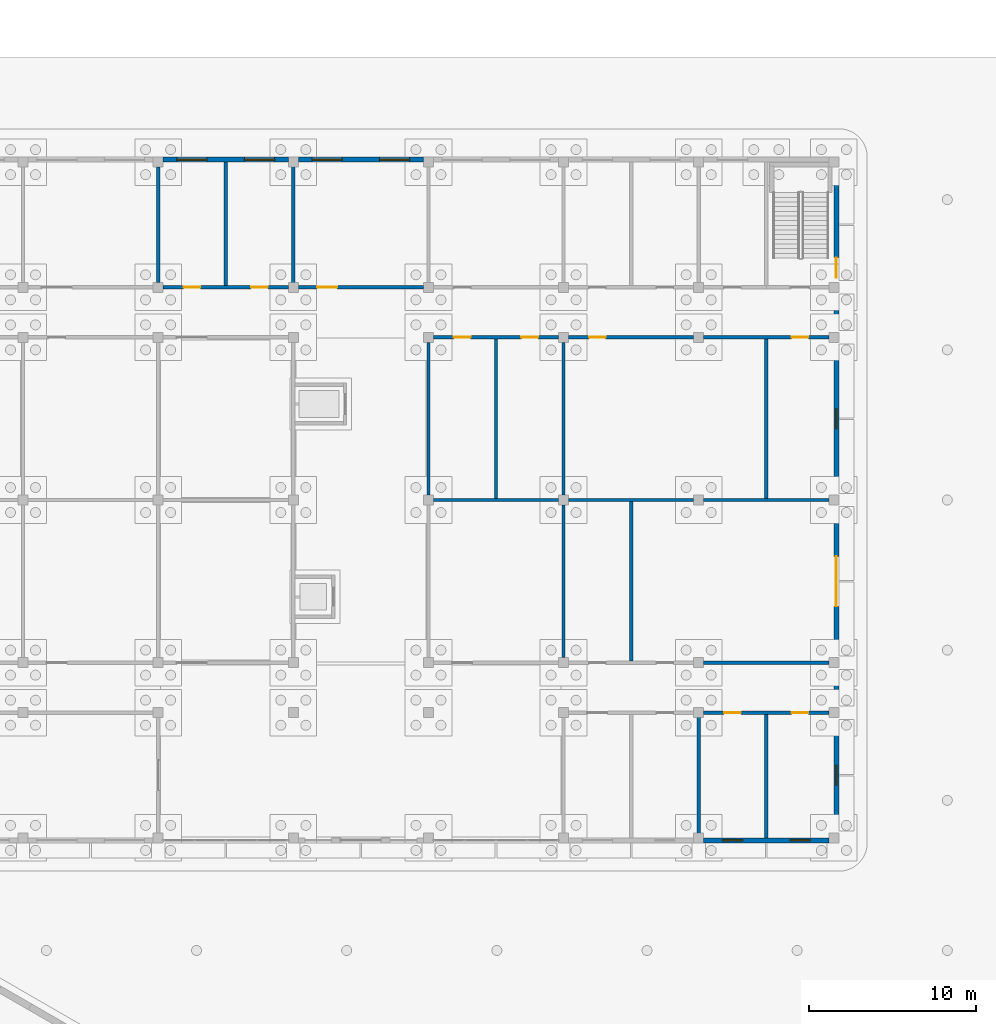
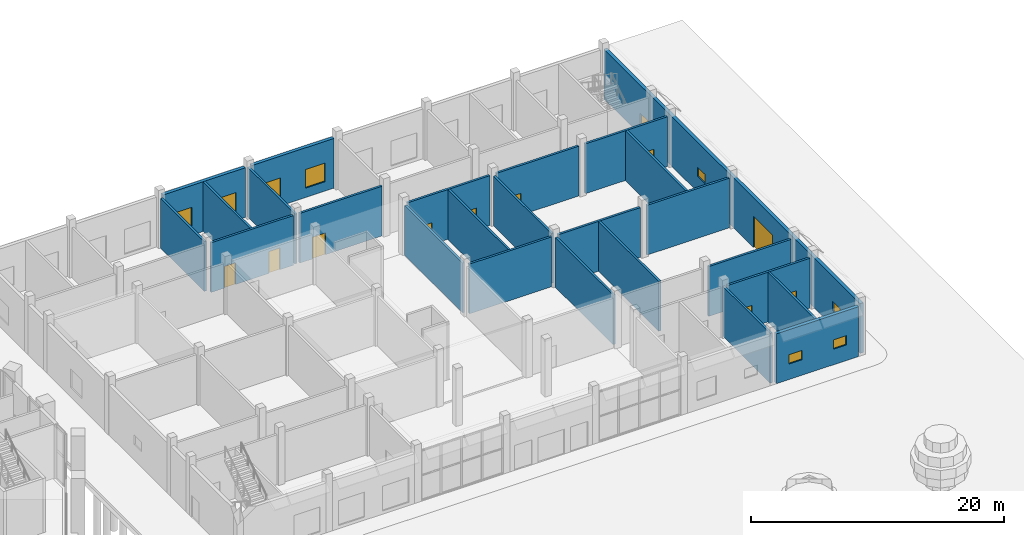
# One storey, part 27 of 44: 25 walls, 11 doors, 8 windows, 19 openings.
"""IFC4 building model written with IfcOpenShell, lengths in metres."""

from ifc_helpers import new_model, si_unit, direction, frame, frame_2d, origin, place, context, subcontext, project, spatial, rectangle, extrude, material, layer, layer_set, type_object, element, fill, save


model = new_model("IFC4")

# Units and contexts
model_context = context("Model", 3, precision=1e-05, world=origin(), true_north=direction((0.0, 1.0)))
body_context = subcontext(model_context, "Body", "Model", "MODEL_VIEW")
ifc_project = project(units=[si_unit("LENGTHUNIT", "METRE"), si_unit("AREAUNIT", "SQUARE_METRE"), si_unit("VOLUMEUNIT", "CUBIC_METRE"), si_unit("PLANEANGLEUNIT", "RADIAN"), si_unit("MASSUNIT", "GRAM", prefix="KILO")], contexts=[model_context])

# Site, building, storey
site_placement = place(None, origin())
site = spatial("IfcSite", under=ifc_project, at=site_placement, CompositionType="ELEMENT")
building_placement = place(site_placement, origin())
building = spatial("IfcBuilding", under=site, at=building_placement, Name="Frailejon Research Tower", CompositionType="ELEMENT")
storey_placement = place(building_placement, origin())
storey = spatial("IfcBuildingStorey", under=building, at=storey_placement, Name="L00", CompositionType="ELEMENT", Elevation=0.0)

# Wall, openings, windows
ifc_material_1 = material(Name="Insulated masonry cavity wall", Category="masonry")
ifc_layer_1 = layer(ifc_material_1, 0.300048828125)
ifc_layer_set_1 = layer_set([ifc_layer_1], Name="HC facade wall 300")
wall_type_1 = type_object("IfcWallType", Name="HC facade wall 300", PredefinedType="SOLIDWALL", material=ifc_layer_set_1)
wall_1_placement = place(storey_placement, frame((93.39990234375, -20.39990234375, 0.0), z_axis=(0.0, 0.0, 1.0), x_axis=(1.0, 0.0, 0.0)))
wall_1 = element("IfcWall", 1, at=wall_1_placement, inside=storey, type_object=wall_type_1, Name="HC facade wall", PredefinedType="SOLIDWALL", context=body_context, shape_type="SweptSolid", body=[
    extrude(rectangle(XDim=7.5, YDim=0.300048828125, at=frame_2d((3.75, 0.0))), origin(), (0.0, 0.0, 1.0), 4.800048828125),
])
opening_1_placement = place(wall_1_placement, frame((1.125, 0.0, 1.5)))
opening_1 = element("IfcOpeningElement", 2, at=opening_1_placement, cuts=wall_1, Name="Opening HW008", PredefinedType="OPENING", context=body_context, shape_type="SweptSolid", body=[
    extrude(rectangle(XDim=1.199951171875, YDim=0.89990234375, at=frame_2d((0.60009765625, 0.449951171875))), frame((0.0, 0.159912109375, 0.0), z_axis=(0.0, -1.0, 0.0), x_axis=(1.0, 0.0, 0.0)), (0.0, 0.0, 1.0), 0.320068359375),
])
opening_2_placement = place(wall_1_placement, frame((5.175048828125, 0.0, 1.5)))
opening_2 = element("IfcOpeningElement", 3, at=opening_2_placement, cuts=wall_1, Name="Opening HW009", PredefinedType="OPENING", context=body_context, shape_type="SweptSolid", body=[
    extrude(rectangle(XDim=1.199951171875, YDim=0.89990234375, at=frame_2d((0.60009765625, 0.449951171875))), frame((0.0, 0.159912109375, 0.0), z_axis=(0.0, -1.0, 0.0), x_axis=(1.0, 0.0, 0.0)), (0.0, 0.0, 1.0), 0.320068359375),
])
ifc_material_2 = material(Name="Aluminium framed double glazing", Category="aluminium")
window_type_1 = type_object("IfcWindowType", Name="HC window 1200x900", PartitioningType="SINGLE_PANEL", PredefinedType="WINDOW", material=ifc_material_2)
window_1_placement = place(opening_1_placement, origin())
window_1 = element("IfcWindow", 4, at=window_1_placement, inside=storey, type_object=window_type_1, Name="Window HW008 (HCW2)", OverallHeight=0.89990234375, OverallWidth=1.199951171875, PartitioningType="SINGLE_PANEL", PredefinedType="WINDOW", context=body_context, shape_type="SweptSolid", body=[
    extrude(rectangle(XDim=1.199951171875, YDim=0.89990234375, at=frame_2d((0.60009765625, 0.449951171875))), frame((0.0, 0.030029296875, 0.0), z_axis=(0.0, -1.0, 0.0), x_axis=(1.0, 0.0, 0.0)), (0.0, 0.0, 1.0), 0.06005859375),
])
fill(opening_1, window_1)
window_2_placement = place(opening_2_placement, origin())
window_2 = element("IfcWindow", 5, at=window_2_placement, inside=storey, type_object=window_type_1, Name="Window HW009 (HCW2)", OverallHeight=0.89990234375, OverallWidth=1.199951171875, PartitioningType="SINGLE_PANEL", PredefinedType="WINDOW", context=body_context, shape_type="SweptSolid", body=[
    extrude(rectangle(XDim=1.199951171875, YDim=0.89990234375, at=frame_2d((0.60009765625, 0.449951171875))), frame((0.0, 0.030029296875, 0.0), z_axis=(0.0, -1.0, 0.0), x_axis=(1.0, 0.0, 0.0)), (0.0, 0.0, 1.0), 0.06005859375),
])
fill(opening_2, window_2)

# Wall, openings, doors, windows
wall_2_placement = place(storey_placement, frame((101.35009765625, 20.25, 0.0), z_axis=(0.0, 0.0, 1.0), x_axis=(0.0, -1.0, 0.0)))
wall_2 = element("IfcWall", 6, at=wall_2_placement, inside=storey, type_object=wall_type_1, Name="HC facade wall", PredefinedType="SOLIDWALL", context=body_context, shape_type="SweptSolid", body=[
    extrude(rectangle(XDim=40.5, YDim=0.300048828125, at=frame_2d((20.25, 0.0))), origin(), (0.0, 0.0, 1.0), 4.800048828125),
])
opening_3_placement = place(wall_2_placement, frame((5.72998046875, 0.0, 0.0)))
opening_3 = element("IfcOpeningElement", 7, at=opening_3_placement, cuts=wall_2, Name="Opening HD034", PredefinedType="OPENING", context=body_context, shape_type="SweptSolid", body=[
    extrude(rectangle(XDim=1.199951171875, YDim=2.10009765625, at=frame_2d((0.60009765625, 1.050048828125))), frame((0.0, 0.159912109375, 0.0), z_axis=(0.0, -1.0, 0.0), x_axis=(1.0, 0.0, 0.0)), (0.0, 0.0, 1.0), 0.320068359375),
])
opening_4_placement = place(wall_2_placement, frame((23.625, 0.0, 0.0)))
opening_4 = element("IfcOpeningElement", 8, at=opening_4_placement, cuts=wall_2, Name="Opening HD035", PredefinedType="OPENING", context=body_context, shape_type="SweptSolid", body=[
    extrude(rectangle(XDim=3.0, YDim=3.0, at=frame_2d((1.5, 1.5))), frame((0.0, 0.159912109375, 0.0), z_axis=(0.0, -1.0, 0.0), x_axis=(1.0, 0.0, 0.0)), (0.0, 0.0, 1.0), 0.320068359375),
])
opening_5_placement = place(wall_2_placement, frame((36.14990234375, 0.0, 1.5)))
opening_5 = element("IfcOpeningElement", 9, at=opening_5_placement, cuts=wall_2, Name="Opening HW010", PredefinedType="OPENING", context=body_context, shape_type="SweptSolid", body=[
    extrude(rectangle(XDim=1.199951171875, YDim=0.89990234375, at=frame_2d((0.60009765625, 0.449951171875))), frame((0.0, 0.159912109375, 0.0), z_axis=(0.0, -1.0, 0.0), x_axis=(1.0, 0.0, 0.0)), (0.0, 0.0, 1.0), 0.320068359375),
])
opening_6_placement = place(wall_2_placement, frame((14.77490234375, 0.0, 1.5)))
opening_6 = element("IfcOpeningElement", 10, at=opening_6_placement, cuts=wall_2, Name="Opening HW013", PredefinedType="OPENING", context=body_context, shape_type="SweptSolid", body=[
    extrude(rectangle(XDim=1.199951171875, YDim=0.89990234375, at=frame_2d((0.60009765625, 0.449951171875))), frame((0.0, 0.159912109375, 0.0), z_axis=(0.0, -1.0, 0.0), x_axis=(1.0, 0.0, 0.0)), (0.0, 0.0, 1.0), 0.320068359375),
])
ifc_material_3 = material(Name="Aluminium framed glazed door leaf", Category="aluminium")
door_type_1 = type_object("IfcDoorType", Name="HC exit door 1200", OperationType="SINGLE_SWING_RIGHT", PredefinedType="DOOR", material=ifc_material_3)
door_1_placement = place(opening_3_placement, origin())
door_1 = element("IfcDoor", 11, at=door_1_placement, inside=storey, type_object=door_type_1, Name="Door HD034", OperationType="SINGLE_SWING_RIGHT", OverallHeight=2.10009765625, OverallWidth=1.199951171875, PredefinedType="DOOR", context=body_context, shape_type="SweptSolid", body=[
    extrude(rectangle(XDim=1.199951171875, YDim=2.10009765625, at=frame_2d((0.60009765625, 1.050048828125))), frame((0.0, 0.02490234375, 0.0), z_axis=(0.0, -1.0, 0.0), x_axis=(1.0, 0.0, 0.0)), (0.0, 0.0, 1.0), 0.050048828125),
])
fill(opening_3, door_1)
ifc_material_4 = material(Name="Galvanised steel roller shutter", Category="steel")
door_type_2 = type_object("IfcDoorType", Name="HC roller shutter 3000", OperationType="ROLLINGUP", PredefinedType="DOOR", material=ifc_material_4)
door_2_placement = place(opening_4_placement, origin())
door_2 = element("IfcDoor", 12, at=door_2_placement, inside=storey, type_object=door_type_2, Name="Door HD035", OperationType="ROLLINGUP", OverallHeight=3.0, OverallWidth=3.0, PredefinedType="DOOR", context=body_context, shape_type="SweptSolid", body=[
    extrude(rectangle(XDim=3.0, YDim=3.0, at=frame_2d((1.5, 1.5))), frame((0.0, 0.02490234375, 0.0), z_axis=(0.0, -1.0, 0.0), x_axis=(1.0, 0.0, 0.0)), (0.0, 0.0, 1.0), 0.050048828125),
])
fill(opening_4, door_2)
window_3_placement = place(opening_5_placement, origin())
window_3 = element("IfcWindow", 13, at=window_3_placement, inside=storey, type_object=window_type_1, Name="Window HW010 (HCW2)", OverallHeight=0.89990234375, OverallWidth=1.199951171875, PartitioningType="SINGLE_PANEL", PredefinedType="WINDOW", context=body_context, shape_type="SweptSolid", body=[
    extrude(rectangle(XDim=1.199951171875, YDim=0.89990234375, at=frame_2d((0.60009765625, 0.449951171875))), frame((0.0, 0.030029296875, 0.0), z_axis=(0.0, -1.0, 0.0), x_axis=(1.0, 0.0, 0.0)), (0.0, 0.0, 1.0), 0.06005859375),
])
fill(opening_5, window_3)
window_4_placement = place(opening_6_placement, origin())
window_4 = element("IfcWindow", 14, at=window_4_placement, inside=storey, type_object=window_type_1, Name="Window HW013 (HCW2)", OverallHeight=0.89990234375, OverallWidth=1.199951171875, PartitioningType="SINGLE_PANEL", PredefinedType="WINDOW", context=body_context, shape_type="SweptSolid", body=[
    extrude(rectangle(XDim=1.199951171875, YDim=0.89990234375, at=frame_2d((0.60009765625, 0.449951171875))), frame((0.0, 0.030029296875, 0.0), z_axis=(0.0, -1.0, 0.0), x_axis=(1.0, 0.0, 0.0)), (0.0, 0.0, 1.0), 0.06005859375),
])
fill(opening_6, window_4)

# Wall, openings, windows
wall_3_placement = place(storey_placement, frame((61.0, 20.39990234375, 0.0), z_axis=(0.0, 0.0, 1.0), x_axis=(1.0, 0.0, 0.0)))
wall_3 = element("IfcWall", 15, at=wall_3_placement, inside=storey, type_object=wall_type_1, Name="HC facade wall", PredefinedType="SOLIDWALL", context=body_context, shape_type="SweptSolid", body=[
    extrude(rectangle(XDim=7.5, YDim=0.300048828125, at=frame_2d((3.75, 0.0))), origin(), (0.0, 0.0, 1.0), 4.800048828125),
])
opening_7_placement = place(wall_3_placement, frame((0.824951171875, 0.0, 0.89990234375)))
opening_7 = element("IfcOpeningElement", 16, at=opening_7_placement, cuts=wall_3, Name="Opening HW019", PredefinedType="OPENING", context=body_context, shape_type="SweptSolid", body=[
    extrude(rectangle(XDim=1.800048828125, YDim=1.800048828125, at=frame_2d((0.89990234375, 0.89990234375))), frame((0.0, 0.159912109375, 0.0), z_axis=(0.0, -1.0, 0.0), x_axis=(1.0, 0.0, 0.0)), (0.0, 0.0, 1.0), 0.320068359375),
])
opening_8_placement = place(wall_3_placement, frame((4.875, 0.0, 0.89990234375)))
opening_8 = element("IfcOpeningElement", 17, at=opening_8_placement, cuts=wall_3, Name="Opening HW020", PredefinedType="OPENING", context=body_context, shape_type="SweptSolid", body=[
    extrude(rectangle(XDim=1.800048828125, YDim=1.800048828125, at=frame_2d((0.89990234375, 0.89990234375))), frame((0.0, 0.159912109375, 0.0), z_axis=(0.0, -1.0, 0.0), x_axis=(1.0, 0.0, 0.0)), (0.0, 0.0, 1.0), 0.320068359375),
])
ifc_material_5 = material(Name="Aluminium framed double glazing", Category="aluminium")
window_type_2 = type_object("IfcWindowType", Name="HC window 1800x1800", PartitioningType="SINGLE_PANEL", PredefinedType="WINDOW", material=ifc_material_5)
window_5_placement = place(opening_7_placement, origin())
window_5 = element("IfcWindow", 18, at=window_5_placement, inside=storey, type_object=window_type_2, Name="Window HW019 (HCW1)", OverallHeight=1.800048828125, OverallWidth=1.800048828125, PartitioningType="SINGLE_PANEL", PredefinedType="WINDOW", context=body_context, shape_type="SweptSolid", body=[
    extrude(rectangle(XDim=1.800048828125, YDim=1.800048828125, at=frame_2d((0.89990234375, 0.89990234375))), frame((0.0, 0.030029296875, 0.0), z_axis=(0.0, -1.0, 0.0), x_axis=(1.0, 0.0, 0.0)), (0.0, 0.0, 1.0), 0.06005859375),
])
fill(opening_7, window_5)
window_6_placement = place(opening_8_placement, origin())
window_6 = element("IfcWindow", 19, at=window_6_placement, inside=storey, type_object=window_type_2, Name="Window HW020 (HCW1)", OverallHeight=1.800048828125, OverallWidth=1.800048828125, PartitioningType="SINGLE_PANEL", PredefinedType="WINDOW", context=body_context, shape_type="SweptSolid", body=[
    extrude(rectangle(XDim=1.800048828125, YDim=1.800048828125, at=frame_2d((0.89990234375, 0.89990234375))), frame((0.0, 0.030029296875, 0.0), z_axis=(0.0, -1.0, 0.0), x_axis=(1.0, 0.0, 0.0)), (0.0, 0.0, 1.0), 0.06005859375),
])
fill(opening_8, window_6)

wall_4_placement = place(storey_placement, frame((69.10009765625, 20.39990234375, 0.0), z_axis=(0.0, 0.0, 1.0), x_axis=(1.0, 0.0, 0.0)))
wall_4 = element("IfcWall", 20, at=wall_4_placement, inside=storey, type_object=wall_type_1, Name="HC facade wall", PredefinedType="SOLIDWALL", context=body_context, shape_type="SweptSolid", body=[
    extrude(rectangle(XDim=7.5, YDim=0.300048828125, at=frame_2d((3.75, 0.0))), origin(), (0.0, 0.0, 1.0), 4.800048828125),
])
opening_9_placement = place(wall_4_placement, frame((0.824951171875, 0.0, 0.89990234375)))
opening_9 = element("IfcOpeningElement", 21, at=opening_9_placement, cuts=wall_4, Name="Opening HW021", PredefinedType="OPENING", context=body_context, shape_type="SweptSolid", body=[
    extrude(rectangle(XDim=1.800048828125, YDim=1.800048828125, at=frame_2d((0.89990234375, 0.89990234375))), frame((0.0, 0.159912109375, 0.0), z_axis=(0.0, -1.0, 0.0), x_axis=(1.0, 0.0, 0.0)), (0.0, 0.0, 1.0), 0.320068359375),
])
opening_10_placement = place(wall_4_placement, frame((4.875, 0.0, 0.89990234375)))
opening_10 = element("IfcOpeningElement", 22, at=opening_10_placement, cuts=wall_4, Name="Opening HW022", PredefinedType="OPENING", context=body_context, shape_type="SweptSolid", body=[
    extrude(rectangle(XDim=1.800048828125, YDim=1.800048828125, at=frame_2d((0.89990234375, 0.89990234375))), frame((0.0, 0.159912109375, 0.0), z_axis=(0.0, -1.0, 0.0), x_axis=(1.0, 0.0, 0.0)), (0.0, 0.0, 1.0), 0.320068359375),
])
window_7_placement = place(opening_9_placement, origin())
window_7 = element("IfcWindow", 23, at=window_7_placement, inside=storey, type_object=window_type_2, Name="Window HW021 (HCW1)", OverallHeight=1.800048828125, OverallWidth=1.800048828125, PartitioningType="SINGLE_PANEL", PredefinedType="WINDOW", context=body_context, shape_type="SweptSolid", body=[
    extrude(rectangle(XDim=1.800048828125, YDim=1.800048828125, at=frame_2d((0.89990234375, 0.89990234375))), frame((0.0, 0.030029296875, 0.0), z_axis=(0.0, -1.0, 0.0), x_axis=(1.0, 0.0, 0.0)), (0.0, 0.0, 1.0), 0.06005859375),
])
fill(opening_9, window_7)
window_8_placement = place(opening_10_placement, origin())
window_8 = element("IfcWindow", 24, at=window_8_placement, inside=storey, type_object=window_type_2, Name="Window HW022 (HCW1)", OverallHeight=1.800048828125, OverallWidth=1.800048828125, PartitioningType="SINGLE_PANEL", PredefinedType="WINDOW", context=body_context, shape_type="SweptSolid", body=[
    extrude(rectangle(XDim=1.800048828125, YDim=1.800048828125, at=frame_2d((0.89990234375, 0.89990234375))), frame((0.0, 0.030029296875, 0.0), z_axis=(0.0, -1.0, 0.0), x_axis=(1.0, 0.0, 0.0)), (0.0, 0.0, 1.0), 0.06005859375),
])
fill(opening_10, window_8)

# Walls
ifc_material_6 = material(Name="Concrete C35/45", Category="concrete")
ifc_layer_2 = layer(ifc_material_6, 0.199951171875)
ifc_layer_set_2 = layer_set([ifc_layer_2], Name="HC fire wall 200")
wall_type_2 = type_object("IfcWallType", Name="HC fire wall 200", PredefinedType="SOLIDWALL", material=ifc_layer_set_2)
wall_5_placement = place(storey_placement, frame((85.0, 0.300048828125, 0.0), z_axis=(0.0, 0.0, 1.0), x_axis=(0.0, 1.0, 0.0)))
element("IfcWall", 25, at=wall_5_placement, inside=storey, type_object=wall_type_2, Name="HC fire-resisting wall", PredefinedType="SOLIDWALL", context=body_context, shape_type="SweptSolid", body=[
    extrude(rectangle(XDim=9.14990234375, YDim=0.199951171875, at=frame_2d((4.574951171875, 0.0))), origin(), (0.0, 0.0, 1.0), 4.800048828125),
])
wall_6_placement = place(storey_placement, frame((97.14990234375, 0.10009765625, 0.0), z_axis=(0.0, 0.0, 1.0), x_axis=(0.0, 1.0, 0.0)))
element("IfcWall", 26, at=wall_6_placement, inside=storey, type_object=wall_type_2, Name="HC fire-resisting wall", PredefinedType="SOLIDWALL", context=body_context, shape_type="SweptSolid", body=[
    extrude(rectangle(XDim=9.5498046875, YDim=0.199951171875, at=frame_2d((4.77490234375, 0.0))), origin(), (0.0, 0.0, 1.0), 4.800048828125),
])
for number, where, z_axis, x_axis, name in (
    (27, (85.300048828125, 0.0, 0.0), (0.0, 0.0, 1.0), (1.0, 0.0, 0.0), "HC fire-resisting wall"),
    (28, (93.39990234375, 0.0, 0.0), (0.0, 0.0, 1.0), (1.0, 0.0, 0.0), "HC fire-resisting wall"),
):
    element("IfcWall", number, at=place(storey_placement, frame(where, z_axis=z_axis, x_axis=x_axis)), inside=storey, type_object=wall_type_2, Name=name, PredefinedType="SOLIDWALL", context=body_context, shape_type="SweptSolid", body=[
        extrude(rectangle(XDim=7.5, YDim=0.199951171875, at=frame_2d((3.75, 0.0))), origin(), (0.0, 0.0, 1.0), 4.800048828125),
    ])

# Wall, opening, door
wall_7_placement = place(storey_placement, frame((85.300048828125, 9.75, 0.0), z_axis=(0.0, 0.0, 1.0), x_axis=(1.0, 0.0, 0.0)))
wall_7 = element("IfcWall", 29, at=wall_7_placement, inside=storey, type_object=wall_type_2, Name="HC fire-resisting wall", PredefinedType="SOLIDWALL", context=body_context, shape_type="SweptSolid", body=[
    extrude(rectangle(XDim=7.5, YDim=0.199951171875, at=frame_2d((3.75, 0.0))), origin(), (0.0, 0.0, 1.0), 4.800048828125),
])
opening_11_placement = place(wall_7_placement, frame((1.22509765625, 0.0, 0.0)))
opening_11 = element("IfcOpeningElement", 30, at=opening_11_placement, cuts=wall_7, Name="Opening HD020", PredefinedType="OPENING", context=body_context, shape_type="SweptSolid", body=[
    extrude(rectangle(XDim=1.0, YDim=2.10009765625, at=frame_2d((0.5, 1.050048828125))), frame((0.0, 0.10986328125, 0.0), z_axis=(0.0, -1.0, 0.0), x_axis=(1.0, 0.0, 0.0)), (0.0, 0.0, 1.0), 0.219970703125),
])
ifc_material_7 = material(Name="Steel fire door leaf", Category="steel")
door_type_3 = type_object("IfcDoorType", Name="HC plant door 1000", OperationType="SINGLE_SWING_LEFT", PredefinedType="DOOR", material=ifc_material_7)
door_3_placement = place(opening_11_placement, origin())
door_3 = element("IfcDoor", 31, at=door_3_placement, inside=storey, type_object=door_type_3, Name="Door HD020", OperationType="SINGLE_SWING_LEFT", OverallHeight=2.10009765625, OverallWidth=1.0, PredefinedType="DOOR", context=body_context, shape_type="SweptSolid", body=[
    extrude(rectangle(XDim=1.0, YDim=2.10009765625, at=frame_2d((0.5, 1.050048828125))), frame((0.0, 0.02490234375, 0.0), z_axis=(0.0, -1.0, 0.0), x_axis=(1.0, 0.0, 0.0)), (0.0, 0.0, 1.0), 0.050048828125),
])
fill(opening_11, door_3)

wall_8_placement = place(storey_placement, frame((93.39990234375, 9.75, 0.0), z_axis=(0.0, 0.0, 1.0), x_axis=(1.0, 0.0, 0.0)))
wall_8 = element("IfcWall", 32, at=wall_8_placement, inside=storey, type_object=wall_type_2, Name="HC fire-resisting wall", PredefinedType="SOLIDWALL", context=body_context, shape_type="SweptSolid", body=[
    extrude(rectangle(XDim=7.5, YDim=0.199951171875, at=frame_2d((3.75, 0.0))), origin(), (0.0, 0.0, 1.0), 4.800048828125),
])
opening_12_placement = place(wall_8_placement, frame((5.27490234375, 0.0, 0.0)))
opening_12 = element("IfcOpeningElement", 33, at=opening_12_placement, cuts=wall_8, Name="Opening HD021", PredefinedType="OPENING", context=body_context, shape_type="SweptSolid", body=[
    extrude(rectangle(XDim=1.0, YDim=2.10009765625, at=frame_2d((0.5, 1.050048828125))), frame((0.0, 0.10986328125, 0.0), z_axis=(0.0, -1.0, 0.0), x_axis=(1.0, 0.0, 0.0)), (0.0, 0.0, 1.0), 0.219970703125),
])
door_4_placement = place(opening_12_placement, origin())
door_4 = element("IfcDoor", 34, at=door_4_placement, inside=storey, type_object=door_type_3, Name="Door HD021", OperationType="SINGLE_SWING_LEFT", OverallHeight=2.10009765625, OverallWidth=1.0, PredefinedType="DOOR", context=body_context, shape_type="SweptSolid", body=[
    extrude(rectangle(XDim=1.0, YDim=2.10009765625, at=frame_2d((0.5, 1.050048828125))), frame((0.0, 0.02490234375, 0.0), z_axis=(0.0, -1.0, 0.0), x_axis=(1.0, 0.0, 0.0)), (0.0, 0.0, 1.0), 0.050048828125),
])
fill(opening_12, door_4)

# Wall, openings, doors
ifc_material_8 = material(Name="Masonry blockwork partition", Category="masonry")
ifc_layer_3 = layer(ifc_material_8, 0.199951171875)
ifc_layer_set_3 = layer_set([ifc_layer_3], Name="HC partition 200")
wall_type_3 = type_object("IfcWallType", Name="HC partition 200", PredefinedType="PARTITIONING", material=ifc_layer_set_3)
wall_9_placement = place(storey_placement, frame((93.39990234375, -12.75, 0.0), z_axis=(0.0, 0.0, 1.0), x_axis=(1.0, 0.0, 0.0)))
wall_9 = element("IfcWall", 35, at=wall_9_placement, inside=storey, type_object=wall_type_3, Name="HC partition", PredefinedType="PARTITIONING", context=body_context, shape_type="SweptSolid", body=[
    extrude(rectangle(XDim=7.5, YDim=0.199951171875, at=frame_2d((3.75, 0.0))), origin(), (0.0, 0.0, 1.0), 4.800048828125),
])
opening_13_placement = place(wall_9_placement, frame((1.22509765625, 0.0, 0.0)))
opening_13 = element("IfcOpeningElement", 36, at=opening_13_placement, cuts=wall_9, Name="Opening HD007", PredefinedType="OPENING", context=body_context, shape_type="SweptSolid", body=[
    extrude(rectangle(XDim=1.0, YDim=2.10009765625, at=frame_2d((0.5, 1.050048828125))), frame((0.0, 0.10986328125, 0.0), z_axis=(0.0, -1.0, 0.0), x_axis=(1.0, 0.0, 0.0)), (0.0, 0.0, 1.0), 0.219970703125),
])
opening_14_placement = place(wall_9_placement, frame((5.27490234375, 0.0, 0.0)))
opening_14 = element("IfcOpeningElement", 37, at=opening_14_placement, cuts=wall_9, Name="Opening HD008", PredefinedType="OPENING", context=body_context, shape_type="SweptSolid", body=[
    extrude(rectangle(XDim=1.0, YDim=2.10009765625, at=frame_2d((0.5, 1.050048828125))), frame((0.0, 0.10986328125, 0.0), z_axis=(0.0, -1.0, 0.0), x_axis=(1.0, 0.0, 0.0)), (0.0, 0.0, 1.0), 0.219970703125),
])
ifc_material_9 = material(Name="Timber veneered fire door leaf", Category="wood")
door_type_4 = type_object("IfcDoorType", Name="HC door 1000 left", OperationType="SINGLE_SWING_LEFT", PredefinedType="DOOR", material=ifc_material_9)
door_5_placement = place(opening_14_placement, origin())
door_5 = element("IfcDoor", 38, at=door_5_placement, inside=storey, type_object=door_type_4, Name="Door HD008", OperationType="SINGLE_SWING_LEFT", OverallHeight=2.10009765625, OverallWidth=1.0, PredefinedType="DOOR", context=body_context, shape_type="SweptSolid", body=[
    extrude(rectangle(XDim=1.0, YDim=2.10009765625, at=frame_2d((0.5, 1.050048828125))), frame((0.0, 0.02490234375, 0.0), z_axis=(0.0, -1.0, 0.0), x_axis=(1.0, 0.0, 0.0)), (0.0, 0.0, 1.0), 0.050048828125),
])
fill(opening_14, door_5)
ifc_material_10 = material(Name="Timber veneered fire door leaf", Category="wood")
door_type_5 = type_object("IfcDoorType", Name="HC door 1000 right", OperationType="SINGLE_SWING_RIGHT", PredefinedType="DOOR", material=ifc_material_10)
door_6_placement = place(opening_13_placement, origin())
door_6 = element("IfcDoor", 39, at=door_6_placement, inside=storey, type_object=door_type_5, Name="Door HD007", OperationType="SINGLE_SWING_RIGHT", OverallHeight=2.10009765625, OverallWidth=1.0, PredefinedType="DOOR", context=body_context, shape_type="SweptSolid", body=[
    extrude(rectangle(XDim=1.0, YDim=2.10009765625, at=frame_2d((0.5, 1.050048828125))), frame((0.0, 0.02490234375, 0.0), z_axis=(0.0, -1.0, 0.0), x_axis=(1.0, 0.0, 0.0)), (0.0, 0.0, 1.0), 0.050048828125),
])
fill(opening_13, door_6)

# Walls
wall_10_placement = place(storey_placement, frame((60.699951171875, 13.050048828125, 0.0), z_axis=(0.0, 0.0, 1.0), x_axis=(0.0, 1.0, 0.0)))
element("IfcWall", 40, at=wall_10_placement, inside=storey, type_object=wall_type_3, Name="HC partition", PredefinedType="PARTITIONING", context=body_context, shape_type="SweptSolid", body=[
    extrude(rectangle(XDim=6.89990234375, YDim=0.199951171875, at=frame_2d((3.449951171875, 0.0))), origin(), (0.0, 0.0, 1.0), 4.800048828125),
])
wall_11_placement = place(storey_placement, frame((93.39990234375, -9.75, 0.0), z_axis=(0.0, 0.0, 1.0), x_axis=(1.0, 0.0, 0.0)))
element("IfcWall", 41, at=wall_11_placement, inside=storey, type_object=wall_type_3, Name="HC partition", PredefinedType="PARTITIONING", context=body_context, shape_type="SweptSolid", body=[
    extrude(rectangle(XDim=7.5, YDim=0.199951171875, at=frame_2d((3.75, 0.0))), origin(), (0.0, 0.0, 1.0), 4.800048828125),
])
wall_12_placement = place(storey_placement, frame((85.0, -9.449951171875, 0.0), z_axis=(0.0, 0.0, 1.0), x_axis=(0.0, 1.0, 0.0)))
element("IfcWall", 42, at=wall_12_placement, inside=storey, type_object=wall_type_3, Name="HC partition", PredefinedType="PARTITIONING", context=body_context, shape_type="SweptSolid", body=[
    extrude(rectangle(XDim=9.14990234375, YDim=0.199951171875, at=frame_2d((4.574951171875, 0.0))), origin(), (0.0, 0.0, 1.0), 4.800048828125),
])
wall_13_placement = place(storey_placement, frame((89.050048828125, -9.64990234375, 0.0), z_axis=(0.0, 0.0, 1.0), x_axis=(0.0, 1.0, 0.0)))
element("IfcWall", 43, at=wall_13_placement, inside=storey, type_object=wall_type_3, Name="HC partition", PredefinedType="PARTITIONING", context=body_context, shape_type="SweptSolid", body=[
    extrude(rectangle(XDim=9.5498046875, YDim=0.199951171875, at=frame_2d((4.77490234375, 0.0))), origin(), (0.0, 0.0, 1.0), 4.800048828125),
])
wall_14_placement = place(storey_placement, frame((93.10009765625, -20.25, 0.0), z_axis=(0.0, 0.0, 1.0), x_axis=(0.0, 1.0, 0.0)))
element("IfcWall", 44, at=wall_14_placement, inside=storey, type_object=wall_type_3, Name="HC partition", PredefinedType="PARTITIONING", context=body_context, shape_type="SweptSolid", body=[
    extrude(rectangle(XDim=7.5, YDim=0.199951171875, at=frame_2d((3.75, 0.0))), origin(), (0.0, 0.0, 1.0), 4.800048828125),
])
wall_15_placement = place(storey_placement, frame((97.14990234375, -20.25, 0.0), z_axis=(0.0, 0.0, 1.0), x_axis=(0.0, 1.0, 0.0)))
element("IfcWall", 45, at=wall_15_placement, inside=storey, type_object=wall_type_3, Name="HC partition", PredefinedType="PARTITIONING", context=body_context, shape_type="SweptSolid", body=[
    extrude(rectangle(XDim=7.39990234375, YDim=0.199951171875, at=frame_2d((3.699951171875, 0.0))), origin(), (0.0, 0.0, 1.0), 4.800048828125),
])
for number, where, z_axis, x_axis, name in (
    (46, (77.199951171875, 0.0, 0.0), (0.0, 0.0, 1.0), (1.0, 0.0, 0.0), "HC partition"),
    (47, (68.800048828125, 12.75, 0.0), (0.0, 0.0, 1.0), (0.0, 1.0, 0.0), "HC partition"),
):
    element("IfcWall", number, at=place(storey_placement, frame(where, z_axis=z_axis, x_axis=x_axis)), inside=storey, type_object=wall_type_3, Name=name, PredefinedType="PARTITIONING", context=body_context, shape_type="SweptSolid", body=[
        extrude(rectangle(XDim=7.5, YDim=0.199951171875, at=frame_2d((3.75, 0.0))), origin(), (0.0, 0.0, 1.0), 4.800048828125),
    ])
wall_16_placement = place(storey_placement, frame((76.89990234375, 0.300048828125, 0.0), z_axis=(0.0, 0.0, 1.0), x_axis=(0.0, 1.0, 0.0)))
element("IfcWall", 48, at=wall_16_placement, inside=storey, type_object=wall_type_3, Name="HC partition", PredefinedType="PARTITIONING", context=body_context, shape_type="SweptSolid", body=[
    extrude(rectangle(XDim=9.14990234375, YDim=0.199951171875, at=frame_2d((4.574951171875, 0.0))), origin(), (0.0, 0.0, 1.0), 4.800048828125),
])

# Wall, openings, doors
wall_17_placement = place(storey_placement, frame((77.199951171875, 9.75, 0.0), z_axis=(0.0, 0.0, 1.0), x_axis=(1.0, 0.0, 0.0)))
wall_17 = element("IfcWall", 49, at=wall_17_placement, inside=storey, type_object=wall_type_3, Name="HC partition", PredefinedType="PARTITIONING", context=body_context, shape_type="SweptSolid", body=[
    extrude(rectangle(XDim=7.5, YDim=0.199951171875, at=frame_2d((3.75, 0.0))), origin(), (0.0, 0.0, 1.0), 4.800048828125),
])
opening_15_placement = place(wall_17_placement, frame((1.22509765625, 0.0, 0.0)))
opening_15 = element("IfcOpeningElement", 50, at=opening_15_placement, cuts=wall_17, Name="Opening HD018", PredefinedType="OPENING", context=body_context, shape_type="SweptSolid", body=[
    extrude(rectangle(XDim=1.0, YDim=2.10009765625, at=frame_2d((0.5, 1.050048828125))), frame((0.0, 0.10986328125, 0.0), z_axis=(0.0, -1.0, 0.0), x_axis=(1.0, 0.0, 0.0)), (0.0, 0.0, 1.0), 0.219970703125),
])
opening_16_placement = place(wall_17_placement, frame((5.27490234375, 0.0, 0.0)))
opening_16 = element("IfcOpeningElement", 51, at=opening_16_placement, cuts=wall_17, Name="Opening HD019", PredefinedType="OPENING", context=body_context, shape_type="SweptSolid", body=[
    extrude(rectangle(XDim=1.0, YDim=2.10009765625, at=frame_2d((0.5, 1.050048828125))), frame((0.0, 0.10986328125, 0.0), z_axis=(0.0, -1.0, 0.0), x_axis=(1.0, 0.0, 0.0)), (0.0, 0.0, 1.0), 0.219970703125),
])
door_7_placement = place(opening_15_placement, origin())
door_7 = element("IfcDoor", 52, at=door_7_placement, inside=storey, type_object=door_type_4, Name="Door HD018", OperationType="SINGLE_SWING_LEFT", OverallHeight=2.10009765625, OverallWidth=1.0, PredefinedType="DOOR", context=body_context, shape_type="SweptSolid", body=[
    extrude(rectangle(XDim=1.0, YDim=2.10009765625, at=frame_2d((0.5, 1.050048828125))), frame((0.0, 0.02490234375, 0.0), z_axis=(0.0, -1.0, 0.0), x_axis=(1.0, 0.0, 0.0)), (0.0, 0.0, 1.0), 0.050048828125),
])
fill(opening_15, door_7)
door_8_placement = place(opening_16_placement, origin())
door_8 = element("IfcDoor", 53, at=door_8_placement, inside=storey, type_object=door_type_5, Name="Door HD019", OperationType="SINGLE_SWING_RIGHT", OverallHeight=2.10009765625, OverallWidth=1.0, PredefinedType="DOOR", context=body_context, shape_type="SweptSolid", body=[
    extrude(rectangle(XDim=1.0, YDim=2.10009765625, at=frame_2d((0.5, 1.050048828125))), frame((0.0, 0.02490234375, 0.0), z_axis=(0.0, -1.0, 0.0), x_axis=(1.0, 0.0, 0.0)), (0.0, 0.0, 1.0), 0.050048828125),
])
fill(opening_16, door_8)

# Wall
wall_18_placement = place(storey_placement, frame((80.949951171875, 0.10009765625, 0.0), z_axis=(0.0, 0.0, 1.0), x_axis=(0.0, 1.0, 0.0)))
element("IfcWall", 54, at=wall_18_placement, inside=storey, type_object=wall_type_3, Name="HC partition", PredefinedType="PARTITIONING", context=body_context, shape_type="SweptSolid", body=[
    extrude(rectangle(XDim=9.5498046875, YDim=0.199951171875, at=frame_2d((4.77490234375, 0.0))), origin(), (0.0, 0.0, 1.0), 4.800048828125),
])

# Wall, openings, doors
wall_19_placement = place(storey_placement, frame((61.0, 12.75, 0.0), z_axis=(0.0, 0.0, 1.0), x_axis=(1.0, 0.0, 0.0)))
wall_19 = element("IfcWall", 55, at=wall_19_placement, inside=storey, type_object=wall_type_3, Name="HC partition", PredefinedType="PARTITIONING", context=body_context, shape_type="SweptSolid", body=[
    extrude(rectangle(XDim=7.5, YDim=0.199951171875, at=frame_2d((3.75, 0.0))), origin(), (0.0, 0.0, 1.0), 4.800048828125),
])
opening_17_placement = place(wall_19_placement, frame((1.22509765625, 0.0, 0.0)))
opening_17 = element("IfcOpeningElement", 56, at=opening_17_placement, cuts=wall_19, Name="Opening HD025", PredefinedType="OPENING", context=body_context, shape_type="SweptSolid", body=[
    extrude(rectangle(XDim=1.0, YDim=2.10009765625, at=frame_2d((0.5, 1.050048828125))), frame((0.0, 0.10986328125, 0.0), z_axis=(0.0, -1.0, 0.0), x_axis=(1.0, 0.0, 0.0)), (0.0, 0.0, 1.0), 0.219970703125),
])
opening_18_placement = place(wall_19_placement, frame((5.27490234375, 0.0, 0.0)))
opening_18 = element("IfcOpeningElement", 57, at=opening_18_placement, cuts=wall_19, Name="Opening HD026", PredefinedType="OPENING", context=body_context, shape_type="SweptSolid", body=[
    extrude(rectangle(XDim=1.0, YDim=2.10009765625, at=frame_2d((0.5, 1.050048828125))), frame((0.0, 0.10986328125, 0.0), z_axis=(0.0, -1.0, 0.0), x_axis=(1.0, 0.0, 0.0)), (0.0, 0.0, 1.0), 0.219970703125),
])
door_9_placement = place(opening_18_placement, origin())
door_9 = element("IfcDoor", 58, at=door_9_placement, inside=storey, type_object=door_type_4, Name="Door HD026", OperationType="SINGLE_SWING_LEFT", OverallHeight=2.10009765625, OverallWidth=1.0, PredefinedType="DOOR", context=body_context, shape_type="SweptSolid", body=[
    extrude(rectangle(XDim=1.0, YDim=2.10009765625, at=frame_2d((0.5, 1.050048828125))), frame((0.0, 0.02490234375, 0.0), z_axis=(0.0, -1.0, 0.0), x_axis=(1.0, 0.0, 0.0)), (0.0, 0.0, 1.0), 0.050048828125),
])
fill(opening_18, door_9)
door_10_placement = place(opening_17_placement, origin())
door_10 = element("IfcDoor", 59, at=door_10_placement, inside=storey, type_object=door_type_5, Name="Door HD025", OperationType="SINGLE_SWING_RIGHT", OverallHeight=2.10009765625, OverallWidth=1.0, PredefinedType="DOOR", context=body_context, shape_type="SweptSolid", body=[
    extrude(rectangle(XDim=1.0, YDim=2.10009765625, at=frame_2d((0.5, 1.050048828125))), frame((0.0, 0.02490234375, 0.0), z_axis=(0.0, -1.0, 0.0), x_axis=(1.0, 0.0, 0.0)), (0.0, 0.0, 1.0), 0.050048828125),
])
fill(opening_17, door_10)

# Wall, opening, door
wall_20_placement = place(storey_placement, frame((69.10009765625, 12.75, 0.0), z_axis=(0.0, 0.0, 1.0), x_axis=(1.0, 0.0, 0.0)))
wall_20 = element("IfcWall", 60, at=wall_20_placement, inside=storey, type_object=wall_type_3, Name="HC partition", PredefinedType="PARTITIONING", context=body_context, shape_type="SweptSolid", body=[
    extrude(rectangle(XDim=7.5, YDim=0.199951171875, at=frame_2d((3.75, 0.0))), origin(), (0.0, 0.0, 1.0), 4.800048828125),
])
opening_19_placement = place(wall_20_placement, frame((1.125, 0.0, 0.0)))
opening_19 = element("IfcOpeningElement", 61, at=opening_19_placement, cuts=wall_20, Name="Opening HD027", PredefinedType="OPENING", context=body_context, shape_type="SweptSolid", body=[
    extrude(rectangle(XDim=1.199951171875, YDim=2.10009765625, at=frame_2d((0.60009765625, 1.050048828125))), frame((0.0, 0.10986328125, 0.0), z_axis=(0.0, -1.0, 0.0), x_axis=(1.0, 0.0, 0.0)), (0.0, 0.0, 1.0), 0.219970703125),
])
ifc_material_11 = material(Name="Timber veneered fire door leaf", Category="wood")
door_type_6 = type_object("IfcDoorType", Name="HC door 1200 right", OperationType="SINGLE_SWING_RIGHT", PredefinedType="DOOR", material=ifc_material_11)
door_11_placement = place(opening_19_placement, origin())
door_11 = element("IfcDoor", 62, at=door_11_placement, inside=storey, type_object=door_type_6, Name="Door HD027", OperationType="SINGLE_SWING_RIGHT", OverallHeight=2.10009765625, OverallWidth=1.199951171875, PredefinedType="DOOR", context=body_context, shape_type="SweptSolid", body=[
    extrude(rectangle(XDim=1.199951171875, YDim=2.10009765625, at=frame_2d((0.60009765625, 1.050048828125))), frame((0.0, 0.02490234375, 0.0), z_axis=(0.0, -1.0, 0.0), x_axis=(1.0, 0.0, 0.0)), (0.0, 0.0, 1.0), 0.050048828125),
])
fill(opening_19, door_11)

# Wall
wall_21_placement = place(storey_placement, frame((64.75, 12.85009765625, 0.0), z_axis=(0.0, 0.0, 1.0), x_axis=(0.0, 1.0, 0.0)))
element("IfcWall", 63, at=wall_21_placement, inside=storey, type_object=wall_type_3, Name="HC partition", PredefinedType="PARTITIONING", context=body_context, shape_type="SweptSolid", body=[
    extrude(rectangle(XDim=7.39990234375, YDim=0.199951171875, at=frame_2d((3.699951171875, 0.0))), origin(), (0.0, 0.0, 1.0), 4.800048828125),
])

save(model, "model.ifc")
